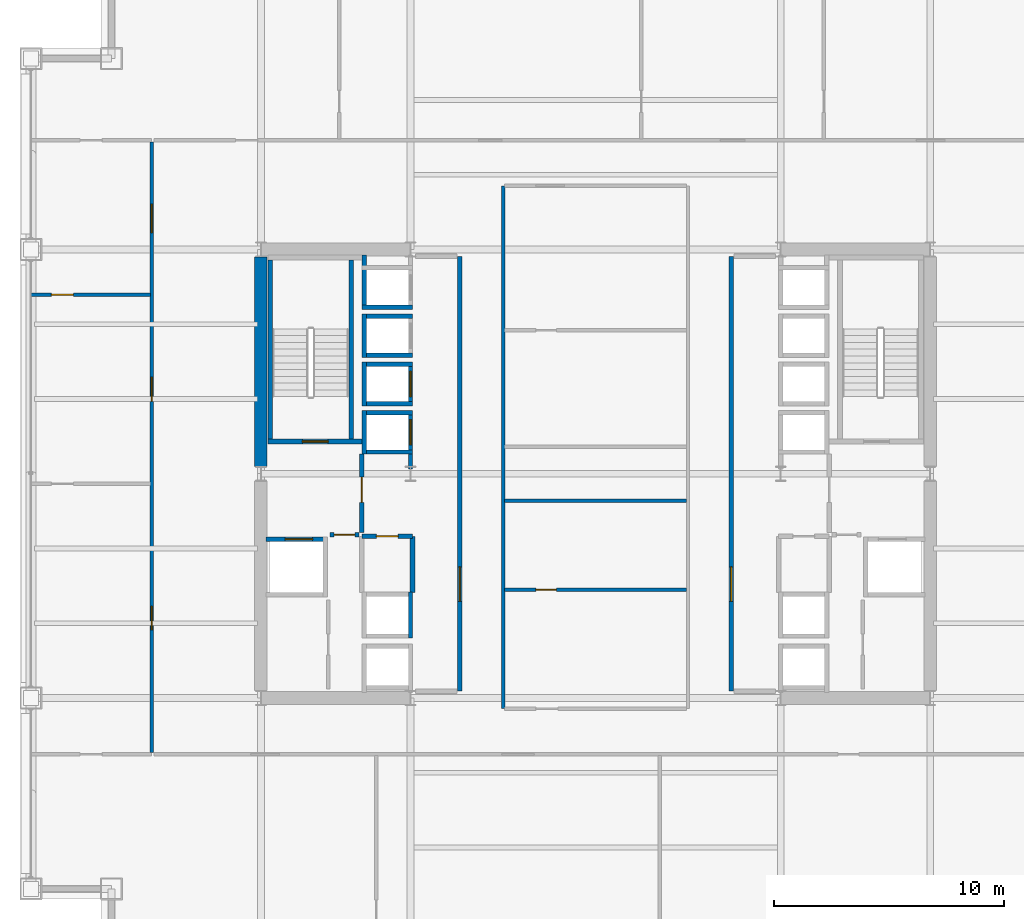
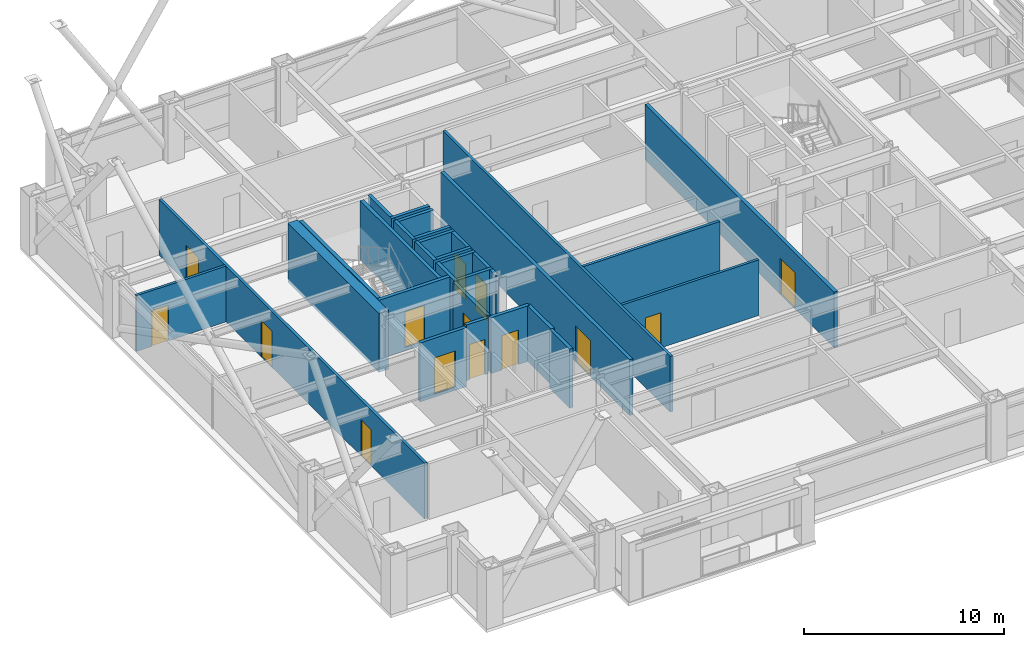
# One storey, part 28 of 34: 30 walls, 14 doors, 14 openings.
"""IFC4 building model written with IfcOpenShell, lengths in metres."""

from ifc_helpers import new_model, si_unit, direction, frame, frame_2d, origin, place, context, subcontext, project, spatial, rectangle, extrude, material, layer, layer_set, type_object, element, fill, save


model = new_model("IFC4")

# Units and contexts
model_context = context("Model", 3, precision=1e-05, world=origin(), true_north=direction((0.0, 1.0)))
body_context = subcontext(model_context, "Body", "Model", "MODEL_VIEW")
ifc_project = project(units=[si_unit("LENGTHUNIT", "METRE"), si_unit("AREAUNIT", "SQUARE_METRE"), si_unit("VOLUMEUNIT", "CUBIC_METRE"), si_unit("PLANEANGLEUNIT", "RADIAN"), si_unit("MASSUNIT", "GRAM", prefix="KILO")], contexts=[model_context])

# Site, building, storey
site_placement = place(None, origin())
site = spatial("IfcSite", under=ifc_project, at=site_placement, CompositionType="ELEMENT")
building_placement = place(site_placement, origin())
building = spatial("IfcBuilding", under=site, at=building_placement, Name="Brelmoor Portico Tower", CompositionType="ELEMENT")
storey_placement = place(building_placement, frame((0.0, 0.0, 45.60009765625)))
storey = spatial("IfcBuildingStorey", under=building, at=storey_placement, Name="L11", CompositionType="ELEMENT", Elevation=45.60009765625)

# Walls
ifc_material_1 = material(Name="Concrete C60", Category="concrete")
ifc_layer_1 = layer(ifc_material_1, 0.550048828125)
ifc_layer_set_1 = layer_set([ifc_layer_1], Name="Concrete C60")
wall_type_1 = type_object("IfcWallType", Name="WL-CORE-550", PredefinedType="SHEAR", material=ifc_layer_set_1)
wall_1_placement = place(storey_placement, frame((-14.550048828125, 0.324951171875, -0.2001953125), z_axis=(0.0, 0.0, 1.0), x_axis=(0.0, 1.0, 0.0)))
element("IfcWall", 1, at=wall_1_placement, inside=storey, type_object=wall_type_1, Name="L11 WC Outer North Shear Wall", PredefinedType="SHEAR", context=body_context, shape_type="SweptSolid", body=[
    extrude(rectangle(XDim=9.10009765625, YDim=0.550048828125, at=frame_2d((4.550048828125, 0.0))), origin(), (0.0, 0.0, 1.0), 3.60009765625),
])
ifc_material_2 = material(Name="Wet-Area Moisture-Resistant Partition", Category="gypsum")
ifc_layer_2 = layer(ifc_material_2, 0.14990234375)
ifc_layer_set_2 = layer_set([ifc_layer_2], Name="Wet-Area Moisture-Resistant Partition")
wall_type_2 = type_object("IfcWallType", Name="WL-PART-150", PredefinedType="PARTITIONING", material=ifc_layer_set_2)
wall_2_placement = place(storey_placement, frame((-4.02001953125, -10.199951171875, 0.0), z_axis=(0.0, 0.0, 1.0), x_axis=(0.0, 1.0, 0.0)))
element("IfcWall", 2, at=wall_2_placement, inside=storey, type_object=wall_type_2, Name="L11 Central Suite West Wall", PredefinedType="PARTITIONING", context=body_context, shape_type="SweptSolid", body=[
    extrude(rectangle(XDim=22.699951171875, YDim=0.14990234375, at=frame_2d((11.35009765625, 0.0))), origin(), (0.0, 0.0, 1.0), 3.39990234375),
])

# Wall, opening, door
wall_3_placement = place(storey_placement, frame((-3.949951171875, -5.050048828125, 0.0), z_axis=(0.0, 0.0, 1.0), x_axis=(1.0, 0.0, 0.0)))
wall_3 = element("IfcWall", 3, at=wall_3_placement, inside=storey, type_object=wall_type_2, Name="L11 Central Print Divider", PredefinedType="PARTITIONING", context=body_context, shape_type="SweptSolid", body=[
    extrude(rectangle(XDim=7.89990234375, YDim=0.14990234375, at=frame_2d((3.949951171875, 0.0))), origin(), (0.0, 0.0, 1.0), 3.39990234375),
])
opening_1_placement = place(wall_3_placement, frame((1.35009765625, 0.0, 0.0)))
opening_1 = element("IfcOpeningElement", 4, at=opening_1_placement, cuts=wall_3, Name="Opening D-IN1", PredefinedType="OPENING", context=body_context, shape_type="SweptSolid", body=[
    extrude(rectangle(XDim=0.89990234375, YDim=2.14990234375, at=frame_2d((0.449951171875, 1.074951171875))), frame((0.0, 0.0849609375, 0.0), z_axis=(0.0, -1.0, 0.0), x_axis=(1.0, 0.0, 0.0)), (0.0, 0.0, 1.0), 0.169921875),
])
ifc_material_3 = material(Name="Lacquered Timber Suite Door", Category="wood")
door_type_1 = type_object("IfcDoorType", Name="DR-INT-900", OperationType="NOTDEFINED", PredefinedType="DOOR", material=ifc_material_3)
door_1_placement = place(opening_1_placement, origin())
door_1 = element("IfcDoor", 5, at=door_1_placement, inside=storey, type_object=door_type_1, Name="D-0481 L11 Central Print Studio Door", OperationType="SINGLE_SWING_LEFT", OverallHeight=2.14990234375, OverallWidth=0.89990234375, PredefinedType="DOOR", context=body_context, shape_type="SweptSolid", body=[
    extrude(rectangle(XDim=0.89990234375, YDim=2.14990234375, at=frame_2d((0.449951171875, 1.074951171875))), frame((0.0, 0.02490234375, 0.0), z_axis=(0.0, -1.0, 0.0), x_axis=(1.0, 0.0, 0.0)), (0.0, 0.0, 1.0), 0.050048828125),
])
fill(opening_1, door_1)

wall_4_placement = place(storey_placement, frame((-24.56005859375, 7.784912109375, 0.0), z_axis=(0.0, 0.0, 1.0), x_axis=(1.0, 0.0, 0.0)))
wall_4 = element("IfcWall", 6, at=wall_4_placement, inside=storey, type_object=wall_type_2, Name="L11 W Wing Partition 2", PredefinedType="PARTITIONING", context=body_context, shape_type="SweptSolid", body=[
    extrude(rectangle(XDim=5.199951171875, YDim=0.14990234375, at=frame_2d((2.60009765625, 0.0))), origin(), (0.0, 0.0, 1.0), 3.39990234375),
])
opening_2_placement = place(wall_4_placement, frame((0.89990234375, 0.0, 0.0)))
opening_2 = element("IfcOpeningElement", 7, at=opening_2_placement, cuts=wall_4, Name="Opening D-IN2", PredefinedType="OPENING", context=body_context, shape_type="SweptSolid", body=[
    extrude(rectangle(XDim=0.9599609375, YDim=2.179931640625, at=frame_2d((0.47998046875, 1.08984375))), frame((0.0, 0.0849609375, 0.0), z_axis=(0.0, -1.0, 0.0), x_axis=(1.0, 0.0, 0.0)), (0.0, 0.0, 1.0), 0.169921875),
])
door_type_2 = type_object("IfcDoorType", Name="DR-INT-950", OperationType="NOTDEFINED", PredefinedType="DOOR", material=ifc_material_3)
door_2_placement = place(opening_2_placement, origin())
door_2 = element("IfcDoor", 8, at=door_2_placement, inside=storey, type_object=door_type_2, Name="D-0520 L11 W Wing Suite Connecting Door 2", OperationType="SINGLE_SWING_RIGHT", OverallHeight=2.179931640625, OverallWidth=0.9599609375, PredefinedType="DOOR", context=body_context, shape_type="SweptSolid", body=[
    extrude(rectangle(XDim=0.9599609375, YDim=2.179931640625, at=frame_2d((0.47998046875, 1.08984375))), frame((0.0, 0.02490234375, 0.0), z_axis=(0.0, -1.0, 0.0), x_axis=(1.0, 0.0, 0.0)), (0.0, 0.0, 1.0), 0.050048828125),
])
fill(opening_2, door_2)

# Wall
ifc_material_4 = material(Name="Twin-Frame Acoustic Partition", Category="gypsum")
ifc_layer_3 = layer(ifc_material_4, 0.159912109375)
ifc_layer_set_3 = layer_set([ifc_layer_3], Name="Twin-Frame Acoustic Partition")
wall_type_3 = type_object("IfcWallType", Name="WL-PART-160", PredefinedType="PARTITIONING", material=ifc_layer_set_3)
wall_5_placement = place(storey_placement, frame((-3.949951171875, -1.179931640625, 0.0), z_axis=(0.0, 0.0, 1.0), x_axis=(1.0, 0.0, 0.0)))
element("IfcWall", 9, at=wall_5_placement, inside=storey, type_object=wall_type_3, Name="L11 Central Pantry North Wall", PredefinedType="PARTITIONING", context=body_context, shape_type="SweptSolid", body=[
    extrude(rectangle(XDim=7.89990234375, YDim=0.159912109375, at=frame_2d((3.949951171875, 0.0))), origin(), (0.0, 0.0, 1.0), 3.39990234375),
])

# Wall, openings, doors
wall_6_placement = place(storey_placement, frame((-19.300048828125, -12.1201171875, 0.0), z_axis=(0.0, 0.0, 1.0), x_axis=(0.0, 1.0, 0.0)))
wall_6 = element("IfcWall", 10, at=wall_6_placement, inside=storey, type_object=wall_type_3, Name="L11 W Wing Corridor Wall", PredefinedType="PARTITIONING", context=body_context, shape_type="SweptSolid", body=[
    extrude(rectangle(XDim=26.5400390625, YDim=0.159912109375, at=frame_2d((13.27001953125, 0.0))), origin(), (0.0, 0.0, 1.0), 3.39990234375),
])
opening_3_placement = place(wall_6_placement, frame((5.328857421875, 0.0, 0.0)))
opening_3 = element("IfcOpeningElement", 11, at=opening_3_placement, cuts=wall_6, Name="Opening D-OF1", PredefinedType="OPENING", context=body_context, shape_type="SweptSolid", body=[
    extrude(rectangle(XDim=1.02001953125, YDim=2.199951171875, at=frame_2d((0.510009765625, 1.10009765625))), frame((0.0, 0.08984375, 0.0), z_axis=(0.0, -1.0, 0.0), x_axis=(1.0, 0.0, 0.0)), (0.0, 0.0, 1.0), 0.179931640625),
])
opening_4_placement = place(wall_6_placement, frame((15.26123046875, 0.0, 0.0)))
opening_4 = element("IfcOpeningElement", 12, at=opening_4_placement, cuts=wall_6, Name="Opening D-OF2", PredefinedType="OPENING", context=body_context, shape_type="SweptSolid", body=[
    extrude(rectangle(XDim=1.06005859375, YDim=2.199951171875, at=frame_2d((0.530029296875, 1.10009765625))), frame((0.0, 0.08984375, 0.0), z_axis=(0.0, -1.0, 0.0), x_axis=(1.0, 0.0, 0.0)), (0.0, 0.0, 1.0), 0.179931640625),
])
opening_5_placement = place(wall_6_placement, frame((22.6025390625, 0.0, 0.0)))
opening_5 = element("IfcOpeningElement", 13, at=opening_5_placement, cuts=wall_6, Name="Opening D-SU1", PredefinedType="OPENING", context=body_context, shape_type="SweptSolid", body=[
    extrude(rectangle(XDim=1.239990234375, YDim=2.239990234375, at=frame_2d((0.6201171875, 1.1201171875))), frame((0.0, 0.08984375, 0.0), z_axis=(0.0, -1.0, 0.0), x_axis=(1.0, 0.0, 0.0)), (0.0, 0.0, 1.0), 0.179931640625),
])
ifc_material_5 = material(Name="Hardwood Acoustic Veneer Door", Category="wood")
door_type_3 = type_object("IfcDoorType", Name="DR-OFFICE-1000", OperationType="NOTDEFINED", PredefinedType="DOOR", material=ifc_material_5)
door_3_placement = place(opening_3_placement, origin())
door_3 = element("IfcDoor", 14, at=door_3_placement, inside=storey, type_object=door_type_3, Name="D-0516 L11 W Cellular Office 1 Door", OperationType="SINGLE_SWING_LEFT", OverallHeight=2.199951171875, OverallWidth=1.02001953125, PredefinedType="DOOR", context=body_context, shape_type="SweptSolid", body=[
    extrude(rectangle(XDim=1.02001953125, YDim=2.199951171875, at=frame_2d((0.510009765625, 1.10009765625))), frame((0.0, 0.02490234375, 0.0), z_axis=(0.0, -1.0, 0.0), x_axis=(1.0, 0.0, 0.0)), (0.0, 0.0, 1.0), 0.050048828125),
])
fill(opening_3, door_3)
door_type_4 = type_object("IfcDoorType", Name="DR-OFFICE-1050", OperationType="NOTDEFINED", PredefinedType="DOOR", material=ifc_material_5)
door_4_placement = place(opening_4_placement, origin())
door_4 = element("IfcDoor", 15, at=door_4_placement, inside=storey, type_object=door_type_4, Name="D-0517 L11 W Technical Storage Room 2 Door", OperationType="SINGLE_SWING_RIGHT", OverallHeight=2.199951171875, OverallWidth=1.06005859375, PredefinedType="DOOR", context=body_context, shape_type="SweptSolid", body=[
    extrude(rectangle(XDim=1.06005859375, YDim=2.199951171875, at=frame_2d((0.530029296875, 1.10009765625))), frame((0.0, 0.02490234375, 0.0), z_axis=(0.0, -1.0, 0.0), x_axis=(1.0, 0.0, 0.0)), (0.0, 0.0, 1.0), 0.050048828125),
])
fill(opening_4, door_4)
ifc_material_6 = material(Name="Glazed Timber Executive Suite Door", Category="wood")
door_type_5 = type_object("IfcDoorType", Name="DR-SUITE-1200", OperationType="NOTDEFINED", PredefinedType="DOOR", material=ifc_material_6)
door_5_placement = place(opening_5_placement, origin())
door_5 = element("IfcDoor", 16, at=door_5_placement, inside=storey, type_object=door_type_5, Name="D-0518 L11 W Project Mail and Print Room 3 Door", OperationType="SINGLE_SWING_LEFT", OverallHeight=2.239990234375, OverallWidth=1.239990234375, PredefinedType="DOOR", context=body_context, shape_type="SweptSolid", body=[
    extrude(rectangle(XDim=1.239990234375, YDim=2.239990234375, at=frame_2d((0.6201171875, 1.1201171875))), frame((0.0, 0.02490234375, 0.0), z_axis=(0.0, -1.0, 0.0), x_axis=(1.0, 0.0, 0.0)), (0.0, 0.0, 1.0), 0.050048828125),
])
fill(opening_5, door_5)

# Wall, opening, door
ifc_material_7 = material(Name="Double-Stud Gypsum Fire Partition", Category="gypsum")
ifc_layer_4 = layer(ifc_material_7, 0.199951171875)
ifc_layer_set_4 = layer_set([ifc_layer_4], Name="Double-Stud Gypsum Fire Partition")
wall_type_4 = type_object("IfcWallType", Name="WL-PART-200", PredefinedType="PARTITIONING", material=ifc_layer_set_4)
wall_7_placement = place(storey_placement, frame((-5.89990234375, -9.449951171875, 0.0), z_axis=(0.0, 0.0, 1.0), x_axis=(0.0, 1.0, 0.0)))
wall_7 = element("IfcWall", 17, at=wall_7_placement, inside=storey, type_object=wall_type_4, Name="L11 W Core Lobby Compartment Wall", PredefinedType="PARTITIONING", context=body_context, shape_type="SweptSolid", body=[
    extrude(rectangle(XDim=18.89990234375, YDim=0.199951171875, at=frame_2d((9.449951171875, 0.0))), origin(), (0.0, 0.0, 1.0), 3.39990234375),
])
opening_6_placement = place(wall_7_placement, frame((3.89990234375, 0.0, 0.0)))
opening_6 = element("IfcOpeningElement", 18, at=opening_6_placement, cuts=wall_7, Name="Opening D-LB1", PredefinedType="OPENING", context=body_context, shape_type="SweptSolid", body=[
    extrude(rectangle(XDim=1.5, YDim=2.199951171875, at=frame_2d((0.75, 1.10009765625))), frame((0.0, 0.10986328125, 0.0), z_axis=(0.0, -1.0, 0.0), x_axis=(1.0, 0.0, 0.0)), (0.0, 0.0, 1.0), 0.219970703125),
])
ifc_material_8 = material(Name="Double-Leaf Glazed Steel Fire Door", Category="steel")
door_type_6 = type_object("IfcDoorType", Name="DR-LOBBY-1500", OperationType="NOTDEFINED", PredefinedType="DOOR", material=ifc_material_8)
door_6_placement = place(opening_6_placement, origin())
door_6 = element("IfcDoor", 19, at=door_6_placement, inside=storey, type_object=door_type_6, Name="D-0491 L11 W Lift Lobby Main Door", OperationType="DOUBLE_DOOR_SINGLE_SWING", OverallHeight=2.199951171875, OverallWidth=1.5, PredefinedType="DOOR", context=body_context, shape_type="SweptSolid", body=[
    extrude(rectangle(XDim=1.5, YDim=2.199951171875, at=frame_2d((0.75, 1.10009765625))), frame((0.0, 0.02490234375, 0.0), z_axis=(0.0, -1.0, 0.0), x_axis=(1.0, 0.0, 0.0)), (0.0, 0.0, 1.0), 0.050048828125),
])
fill(opening_6, door_6)

wall_8_placement = place(storey_placement, frame((-10.159912109375, -2.550048828125, 0.0), z_axis=(0.0, 0.0, 1.0), x_axis=(0.0, 1.0, 0.0)))
wall_8 = element("IfcWall", 20, at=wall_8_placement, inside=storey, type_object=wall_type_4, Name="L11 W Firefighting Lobby Wall", PredefinedType="PARTITIONING", context=body_context, shape_type="SweptSolid", body=[
    extrude(rectangle(XDim=3.400146484375, YDim=0.199951171875, at=frame_2d((1.7001953125, 0.0))), origin(), (0.0, 0.0, 1.0), 3.39990234375),
])
opening_7_placement = place(wall_8_placement, frame((1.300048828125, 0.0, 0.0)))
opening_7 = element("IfcOpeningElement", 21, at=opening_7_placement, cuts=wall_8, Name="Opening D-FR1", PredefinedType="OPENING", context=body_context, shape_type="SweptSolid", body=[
    extrude(rectangle(XDim=1.10009765625, YDim=2.14990234375, at=frame_2d((0.550048828125, 1.074951171875))), frame((0.0, 0.10986328125, 0.0), z_axis=(0.0, -1.0, 0.0), x_axis=(1.0, 0.0, 0.0)), (0.0, 0.0, 1.0), 0.219970703125),
])
ifc_material_9 = material(Name="Painted Galvanised Steel Fire Door", Category="steel")
door_type_7 = type_object("IfcDoorType", Name="DR-FIRE-1100", OperationType="NOTDEFINED", PredefinedType="DOOR", material=ifc_material_9)
door_7_placement = place(opening_7_placement, origin())
door_7 = element("IfcDoor", 22, at=door_7_placement, inside=storey, type_object=door_type_7, Name="D-0489 L11 W Firefighting Lobby Door", OperationType="SINGLE_SWING_RIGHT", OverallHeight=2.14990234375, OverallWidth=1.10009765625, PredefinedType="DOOR", context=body_context, shape_type="SweptSolid", body=[
    extrude(rectangle(XDim=1.10009765625, YDim=2.14990234375, at=frame_2d((0.550048828125, 1.074951171875))), frame((0.0, 0.02490234375, 0.0), z_axis=(0.0, -1.0, 0.0), x_axis=(1.0, 0.0, 0.0)), (0.0, 0.0, 1.0), 0.050048828125),
])
fill(opening_7, door_7)

wall_9_placement = place(storey_placement, frame((-10.280029296875, -2.64990234375, 0.0), z_axis=(0.0, 0.0, 1.0), x_axis=(-1.0, 0.0, 0.0)))
wall_9 = element("IfcWall", 23, at=wall_9_placement, inside=storey, type_object=wall_type_4, Name="L11 W Firefighting Lobby South Wall", PredefinedType="PARTITIONING", context=body_context, shape_type="SweptSolid", body=[
    extrude(rectangle(XDim=1.27001953125, YDim=0.199951171875, at=frame_2d((0.635009765625, 0.0))), origin(), (0.0, 0.0, 1.0), 3.39990234375),
])
opening_8_placement = place(wall_9_placement, frame((0.18505859375, 0.0, 0.0)))
opening_8 = element("IfcOpeningElement", 24, at=opening_8_placement, cuts=wall_9, Name="Opening D-IN1", PredefinedType="OPENING", context=body_context, shape_type="SweptSolid", body=[
    extrude(rectangle(XDim=0.89990234375, YDim=2.14990234375, at=frame_2d((0.449951171875, 1.074951171875))), frame((0.0, 0.10986328125, 0.0), z_axis=(0.0, -1.0, 0.0), x_axis=(1.0, 0.0, 0.0)), (0.0, 0.0, 1.0), 0.219970703125),
])
door_8_placement = place(opening_8_placement, origin())
door_8 = element("IfcDoor", 25, at=door_8_placement, inside=storey, type_object=door_type_1, Name="D-0484 L11 W Core Service Vestibule Door", OperationType="SINGLE_SWING_LEFT", OverallHeight=2.14990234375, OverallWidth=0.89990234375, PredefinedType="DOOR", context=body_context, shape_type="SweptSolid", body=[
    extrude(rectangle(XDim=0.89990234375, YDim=2.14990234375, at=frame_2d((0.449951171875, 1.074951171875))), frame((0.0, 0.02490234375, 0.0), z_axis=(0.0, -1.0, 0.0), x_axis=(1.0, 0.0, 0.0)), (0.0, 0.0, 1.0), 0.050048828125),
])
fill(opening_8, door_8)

wall_10_placement = place(storey_placement, frame((-7.9599609375, -2.719970703125, 0.0), z_axis=(0.0, 0.0, 1.0), x_axis=(-1.0, 0.0, 0.0)))
wall_10 = element("IfcWall", 26, at=wall_10_placement, inside=storey, type_object=wall_type_4, Name="L11 W Electrical Switchgear Closet Wall", PredefinedType="PARTITIONING", context=body_context, shape_type="SweptSolid", body=[
    extrude(rectangle(XDim=2.199951171875, YDim=0.199951171875, at=frame_2d((1.10009765625, 0.0))), origin(), (0.0, 0.0, 1.0), 3.39990234375),
])
opening_9_placement = place(wall_10_placement, frame((0.6201171875, 0.0, 0.0)))
opening_9 = element("IfcOpeningElement", 27, at=opening_9_placement, cuts=wall_10, Name="Opening D-FR4", PredefinedType="OPENING", context=body_context, shape_type="SweptSolid", body=[
    extrude(rectangle(XDim=0.949951171875, YDim=2.10009765625, at=frame_2d((0.47509765625, 1.050048828125))), frame((0.0, 0.10986328125, 0.0), z_axis=(0.0, -1.0, 0.0), x_axis=(1.0, 0.0, 0.0)), (0.0, 0.0, 1.0), 0.219970703125),
])
ifc_material_10 = material(Name="Painted Galvanised Steel Riser Door", Category="steel")
door_type_8 = type_object("IfcDoorType", Name="DR-FIRE-950", OperationType="NOTDEFINED", PredefinedType="DOOR", material=ifc_material_10)
door_9_placement = place(opening_9_placement, origin())
door_9 = element("IfcDoor", 28, at=door_9_placement, inside=storey, type_object=door_type_8, Name="D-0487 L11 W Electrical Switchgear Closet Door", OperationType="SINGLE_SWING_RIGHT", OverallHeight=2.10009765625, OverallWidth=0.949951171875, PredefinedType="DOOR", context=body_context, shape_type="SweptSolid", body=[
    extrude(rectangle(XDim=0.949951171875, YDim=2.10009765625, at=frame_2d((0.47509765625, 1.050048828125))), frame((0.0, 0.02490234375, 0.0), z_axis=(0.0, -1.0, 0.0), x_axis=(1.0, 0.0, 0.0)), (0.0, 0.0, 1.0), 0.050048828125),
])
fill(opening_9, door_9)

# Wall
wall_11_placement = place(storey_placement, frame((-7.9599609375, -5.159912109375, 0.0), z_axis=(0.0, 0.0, 1.0), x_axis=(0.0, 1.0, 0.0)))
element("IfcWall", 29, at=wall_11_placement, inside=storey, type_object=wall_type_4, Name="L11 W Electrical Switchgear Closet Inner Wall", PredefinedType="PARTITIONING", context=body_context, shape_type="SweptSolid", body=[
    extrude(rectangle(XDim=2.43994140625, YDim=0.199951171875, at=frame_2d((1.219970703125, 0.0))), origin(), (0.0, 0.0, 1.0), 3.39990234375),
])

# Wall, opening, door
wall_12_placement = place(storey_placement, frame((5.89990234375, -9.449951171875, 0.0), z_axis=(0.0, 0.0, 1.0), x_axis=(0.0, 1.0, 0.0)))
wall_12 = element("IfcWall", 30, at=wall_12_placement, inside=storey, type_object=wall_type_4, Name="L11 E Core Lobby Compartment Wall", PredefinedType="PARTITIONING", context=body_context, shape_type="SweptSolid", body=[
    extrude(rectangle(XDim=18.89990234375, YDim=0.199951171875, at=frame_2d((9.449951171875, 0.0))), origin(), (0.0, 0.0, 1.0), 3.39990234375),
])
opening_10_placement = place(wall_12_placement, frame((3.89990234375, 0.0, 0.0)))
opening_10 = element("IfcOpeningElement", 31, at=opening_10_placement, cuts=wall_12, Name="Opening D-LB1", PredefinedType="OPENING", context=body_context, shape_type="SweptSolid", body=[
    extrude(rectangle(XDim=1.5, YDim=2.199951171875, at=frame_2d((0.75, 1.10009765625))), frame((0.0, 0.10986328125, 0.0), z_axis=(0.0, -1.0, 0.0), x_axis=(1.0, 0.0, 0.0)), (0.0, 0.0, 1.0), 0.219970703125),
])
door_10_placement = place(opening_10_placement, origin())
door_10 = element("IfcDoor", 32, at=door_10_placement, inside=storey, type_object=door_type_6, Name="D-0490 L11 E Lift Lobby Main Door", OperationType="DOUBLE_DOOR_SINGLE_SWING", OverallHeight=2.199951171875, OverallWidth=1.5, PredefinedType="DOOR", context=body_context, shape_type="SweptSolid", body=[
    extrude(rectangle(XDim=1.5, YDim=2.199951171875, at=frame_2d((0.75, 1.10009765625))), frame((0.0, 0.02490234375, 0.0), z_axis=(0.0, -1.0, 0.0), x_axis=(1.0, 0.0, 0.0)), (0.0, 0.0, 1.0), 0.050048828125),
])
fill(opening_10, door_10)

ifc_material_11 = material(Name="Precast Concrete C40", Category="concrete")
ifc_layer_5 = layer(ifc_material_11, 0.18994140625)
ifc_layer_set_5 = layer_set([ifc_layer_5], Name="Precast Concrete C40")
wall_type_5 = type_object("IfcWallType", Name="WL-SHAFT-180", PredefinedType="SOLIDWALL", material=ifc_layer_set_5)
wall_13_placement = place(storey_placement, frame((-8.044921875, 0.2099609375, -0.2001953125), z_axis=(0.0, 0.0, 1.0), x_axis=(0.0, 1.0, 0.0)))
wall_13 = element("IfcWall", 33, at=wall_13_placement, inside=storey, type_object=wall_type_5, Name="L11 Lift PL1 Hoistway Front Wall", PredefinedType="SOLIDWALL", context=body_context, shape_type="SweptSolid", body=[
    extrude(rectangle(XDim=2.5400390625, YDim=0.18994140625, at=frame_2d((1.27001953125, 0.0))), origin(), (0.0, 0.0, 1.0), 3.60009765625),
])
opening_11_placement = place(wall_13_placement, frame((1.0400390625, 0.0, 0.199951171875)))
opening_11 = element("IfcOpeningElement", 34, at=opening_11_placement, cuts=wall_13, Name="Opening LD-01", PredefinedType="OPENING", context=body_context, shape_type="SweptSolid", body=[
    extrude(rectangle(XDim=1.10009765625, YDim=2.199951171875, at=frame_2d((0.550048828125, 1.10009765625))), frame((0.0, 0.10498046875, 0.0), z_axis=(0.0, -1.0, 0.0), x_axis=(1.0, 0.0, 0.0)), (0.0, 0.0, 1.0), 0.2099609375),
])
ifc_material_12 = material(Name="Brushed Stainless Steel Sliding Lift Door", Category="steel")
door_type_9 = type_object("IfcDoorType", Name="DR-LIFT-1100", OperationType="NOTDEFINED", PredefinedType="DOOR", material=ifc_material_12)
door_11_placement = place(opening_11_placement, origin())
door_11 = element("IfcDoor", 35, at=door_11_placement, inside=storey, type_object=door_type_9, Name="D-0523 L11 Lift PL1 Sliding Landing Door", OperationType="SLIDING_TO_LEFT", OverallHeight=2.199951171875, OverallWidth=1.10009765625, PredefinedType="DOOR", context=body_context, shape_type="SweptSolid", body=[
    extrude(rectangle(XDim=1.10009765625, YDim=2.199951171875, at=frame_2d((0.550048828125, 1.10009765625))), frame((0.0, 0.02490234375, 0.0), z_axis=(0.0, -1.0, 0.0), x_axis=(1.0, 0.0, 0.0)), (0.0, 0.0, 1.0), 0.050048828125),
])
fill(opening_11, door_11)

# Walls
wall_14_placement = place(storey_placement, frame((-10.054931640625, 0.85009765625, -0.2001953125), z_axis=(0.0, 0.0, 1.0), x_axis=(0.0, 1.0, 0.0)))
element("IfcWall", 36, at=wall_14_placement, inside=storey, type_object=wall_type_5, Name="L11 Lift PL1 Hoistway Back Wall", PredefinedType="SOLIDWALL", context=body_context, shape_type="SweptSolid", body=[
    extrude(rectangle(XDim=1.89990234375, YDim=0.18994140625, at=frame_2d((0.949951171875, 0.0))), origin(), (0.0, 0.0, 1.0), 3.60009765625),
])
for number, where, z_axis, x_axis, name in (
    (37, (-10.14990234375, 2.655029296875, -0.2001953125), (0.0, 0.0, 1.0), (1.0, 0.0, 0.0), "L11 Lift PL1 Hoistway North Wall"),
    (38, (-10.14990234375, 0.945068359375, -0.2001953125), (0.0, 0.0, 1.0), (1.0, 0.0, 0.0), "L11 Lift PL1 Hoistway South Wall"),
):
    element("IfcWall", number, at=place(storey_placement, frame(where, z_axis=z_axis, x_axis=x_axis)), inside=storey, type_object=wall_type_5, Name=name, PredefinedType="SOLIDWALL", context=body_context, shape_type="SweptSolid", body=[
        extrude(rectangle(XDim=2.199951171875, YDim=0.18994140625, at=frame_2d((1.10009765625, 0.0))), origin(), (0.0, 0.0, 1.0), 3.60009765625),
    ])

# Wall, opening, door
wall_15_placement = place(storey_placement, frame((-8.044921875, 2.949951171875, -0.2001953125), z_axis=(0.0, 0.0, 1.0), x_axis=(0.0, 1.0, 0.0)))
wall_15 = element("IfcWall", 39, at=wall_15_placement, inside=storey, type_object=wall_type_5, Name="L11 Lift PL2 Hoistway Front Wall", PredefinedType="SOLIDWALL", context=body_context, shape_type="SweptSolid", body=[
    extrude(rectangle(XDim=1.900146484375, YDim=0.18994140625, at=frame_2d((0.9501953125, 0.0))), origin(), (0.0, 0.0, 1.0), 3.60009765625),
])
opening_12_placement = place(wall_15_placement, frame((0.39990234375, 0.0, 0.199951171875)))
opening_12 = element("IfcOpeningElement", 40, at=opening_12_placement, cuts=wall_15, Name="Opening LD-01", PredefinedType="OPENING", context=body_context, shape_type="SweptSolid", body=[
    extrude(rectangle(XDim=1.10009765625, YDim=2.199951171875, at=frame_2d((0.550048828125, 1.10009765625))), frame((0.0, 0.10498046875, 0.0), z_axis=(0.0, -1.0, 0.0), x_axis=(1.0, 0.0, 0.0)), (0.0, 0.0, 1.0), 0.2099609375),
])
door_12_placement = place(opening_12_placement, origin())
door_12 = element("IfcDoor", 41, at=door_12_placement, inside=storey, type_object=door_type_9, Name="D-0524 L11 Lift PL2 Sliding Landing Door", OperationType="SLIDING_TO_LEFT", OverallHeight=2.199951171875, OverallWidth=1.10009765625, PredefinedType="DOOR", context=body_context, shape_type="SweptSolid", body=[
    extrude(rectangle(XDim=1.10009765625, YDim=2.199951171875, at=frame_2d((0.550048828125, 1.10009765625))), frame((0.0, 0.02490234375, 0.0), z_axis=(0.0, -1.0, 0.0), x_axis=(1.0, 0.0, 0.0)), (0.0, 0.0, 1.0), 0.050048828125),
])
fill(opening_12, door_12)

# Walls
wall_16_placement = place(storey_placement, frame((-10.054931640625, 2.949951171875, -0.2001953125), z_axis=(0.0, 0.0, 1.0), x_axis=(0.0, 1.0, 0.0)))
element("IfcWall", 42, at=wall_16_placement, inside=storey, type_object=wall_type_5, Name="L11 Lift PL2 Hoistway Back Wall", PredefinedType="SOLIDWALL", context=body_context, shape_type="SweptSolid", body=[
    extrude(rectangle(XDim=1.900146484375, YDim=0.18994140625, at=frame_2d((0.9501953125, 0.0))), origin(), (0.0, 0.0, 1.0), 3.60009765625),
])
for number, where, z_axis, x_axis, name in (
    (43, (-10.14990234375, 4.7548828125, -0.2001953125), (0.0, 0.0, 1.0), (1.0, 0.0, 0.0), "L11 Lift PL2 Hoistway North Wall"),
    (44, (-10.14990234375, 3.044921875, -0.2001953125), (0.0, 0.0, 1.0), (1.0, 0.0, 0.0), "L11 Lift PL2 Hoistway South Wall"),
):
    element("IfcWall", number, at=place(storey_placement, frame(where, z_axis=z_axis, x_axis=x_axis)), inside=storey, type_object=wall_type_5, Name=name, PredefinedType="SOLIDWALL", context=body_context, shape_type="SweptSolid", body=[
        extrude(rectangle(XDim=2.199951171875, YDim=0.18994140625, at=frame_2d((1.10009765625, 0.0))), origin(), (0.0, 0.0, 1.0), 3.60009765625),
    ])
wall_17_placement = place(storey_placement, frame((-10.054931640625, 5.050048828125, -0.2001953125), z_axis=(0.0, 0.0, 1.0), x_axis=(0.0, 1.0, 0.0)))
element("IfcWall", 45, at=wall_17_placement, inside=storey, type_object=wall_type_5, Name="L11 Lift PL3 Hoistway Back Wall", PredefinedType="SOLIDWALL", context=body_context, shape_type="SweptSolid", body=[
    extrude(rectangle(XDim=1.89990234375, YDim=0.18994140625, at=frame_2d((0.949951171875, 0.0))), origin(), (0.0, 0.0, 1.0), 3.60009765625),
])
for number, where, z_axis, x_axis, name in (
    (46, (-10.14990234375, 6.85498046875, -0.2001953125), (0.0, 0.0, 1.0), (1.0, 0.0, 0.0), "L11 Lift PL3 Hoistway North Wall"),
    (47, (-10.14990234375, 5.14501953125, -0.2001953125), (0.0, 0.0, 1.0), (1.0, 0.0, 0.0), "L11 Lift PL3 Hoistway South Wall"),
):
    element("IfcWall", number, at=place(storey_placement, frame(where, z_axis=z_axis, x_axis=x_axis)), inside=storey, type_object=wall_type_5, Name=name, PredefinedType="SOLIDWALL", context=body_context, shape_type="SweptSolid", body=[
        extrude(rectangle(XDim=2.199951171875, YDim=0.18994140625, at=frame_2d((1.10009765625, 0.0))), origin(), (0.0, 0.0, 1.0), 3.60009765625),
    ])
wall_18_placement = place(storey_placement, frame((-10.054931640625, 7.14990234375, -0.2001953125), z_axis=(0.0, 0.0, 1.0), x_axis=(0.0, 1.0, 0.0)))
element("IfcWall", 48, at=wall_18_placement, inside=storey, type_object=wall_type_5, Name="L11 Lift PL4 Hoistway Back Wall", PredefinedType="SOLIDWALL", context=body_context, shape_type="SweptSolid", body=[
    extrude(rectangle(XDim=2.3701171875, YDim=0.18994140625, at=frame_2d((1.18505859375, 0.0))), origin(), (0.0, 0.0, 1.0), 3.60009765625),
])
wall_19_placement = place(storey_placement, frame((-10.14990234375, 7.2451171875, -0.2001953125), z_axis=(0.0, 0.0, 1.0), x_axis=(1.0, 0.0, 0.0)))
element("IfcWall", 49, at=wall_19_placement, inside=storey, type_object=wall_type_5, Name="L11 Lift PL4 Hoistway South Wall", PredefinedType="SOLIDWALL", context=body_context, shape_type="SweptSolid", body=[
    extrude(rectangle(XDim=2.199951171875, YDim=0.18994140625, at=frame_2d((1.10009765625, 0.0))), origin(), (0.0, 0.0, 1.0), 3.60009765625),
])
wall_20_placement = place(storey_placement, frame((-8.044921875, -7.14990234375, -0.2001953125), z_axis=(0.0, 0.0, 1.0), x_axis=(0.0, 1.0, 0.0)))
element("IfcWall", 50, at=wall_20_placement, inside=storey, type_object=wall_type_5, Name="L11 Lift PH2 Hoistway Front Wall", PredefinedType="SOLIDWALL", context=body_context, shape_type="SweptSolid", body=[
    extrude(rectangle(XDim=2.0, YDim=0.18994140625, at=frame_2d((1.0, 0.0))), origin(), (0.0, 0.0, 1.0), 3.60009765625),
])

# Wall, opening, door
wall_21_placement = place(storey_placement, frame((-14.330078125, -2.844970703125, -0.2001953125), z_axis=(0.0, 0.0, 1.0), x_axis=(1.0, 0.0, 0.0)))
wall_21 = element("IfcWall", 51, at=wall_21_placement, inside=storey, type_object=wall_type_5, Name="L11 Lift FF1 Hoistway Front Wall", PredefinedType="SOLIDWALL", context=body_context, shape_type="SweptSolid", body=[
    extrude(rectangle(XDim=2.68017578125, YDim=0.18994140625, at=frame_2d((1.340087890625, 0.0))), origin(), (0.0, 0.0, 1.0), 3.60009765625),
])
opening_13_placement = place(wall_21_placement, frame((0.830078125, 0.0, 0.199951171875)))
opening_13 = element("IfcOpeningElement", 52, at=opening_13_placement, cuts=wall_21, Name="Opening LD-02", PredefinedType="OPENING", context=body_context, shape_type="SweptSolid", body=[
    extrude(rectangle(XDim=1.199951171875, YDim=2.199951171875, at=frame_2d((0.60009765625, 1.10009765625))), frame((0.0, 0.10498046875, 0.0), z_axis=(0.0, -1.0, 0.0), x_axis=(1.0, 0.0, 0.0)), (0.0, 0.0, 1.0), 0.2099609375),
])
ifc_material_13 = material(Name="Brushed Stainless Steel Firefighting Lift Door", Category="steel")
door_type_10 = type_object("IfcDoorType", Name="DR-LIFT-1200", OperationType="NOTDEFINED", PredefinedType="DOOR", material=ifc_material_13)
door_13_placement = place(opening_13_placement, origin())
door_13 = element("IfcDoor", 53, at=door_13_placement, inside=storey, type_object=door_type_10, Name="D-0521 L11 Lift FF1 Sliding Landing Door", OperationType="SLIDING_TO_LEFT", OverallHeight=2.199951171875, OverallWidth=1.199951171875, PredefinedType="DOOR", context=body_context, shape_type="SweptSolid", body=[
    extrude(rectangle(XDim=1.199951171875, YDim=2.199951171875, at=frame_2d((0.60009765625, 1.10009765625))), frame((0.0, 0.02490234375, 0.0), z_axis=(0.0, -1.0, 0.0), x_axis=(1.0, 0.0, 0.0)), (0.0, 0.0, 1.0), 0.050048828125),
])
fill(opening_13, door_13)

# Wall
ifc_material_14 = material(Name="Concrete C40", Category="concrete")
ifc_layer_6 = layer(ifc_material_14, 0.199951171875)
ifc_layer_set_6 = layer_set([ifc_layer_6], Name="Concrete C40")
wall_type_6 = type_object("IfcWallType", Name="WL-SHAFT-RC200", PredefinedType="SOLIDWALL", material=ifc_layer_set_6)
wall_22_placement = place(storey_placement, frame((-14.14990234375, 1.5, -0.2001953125), z_axis=(0.0, 0.0, 1.0), x_axis=(0.0, 1.0, 0.0)))
element("IfcWall", 54, at=wall_22_placement, inside=storey, type_object=wall_type_6, Name="L11 ST-W Structural Stair Wall Outer", PredefinedType="SOLIDWALL", context=body_context, shape_type="SweptSolid", body=[
    extrude(rectangle(XDim=7.800048828125, YDim=0.199951171875, at=frame_2d((3.89990234375, 0.0))), origin(), (0.0, 0.0, 1.0), 3.60009765625),
])

# Wall, opening, door
wall_23_placement = place(storey_placement, frame((-14.25, 1.39990234375, -0.2001953125), z_axis=(0.0, 0.0, 1.0), x_axis=(1.0, 0.0, 0.0)))
wall_23 = element("IfcWall", 55, at=wall_23_placement, inside=storey, type_object=wall_type_6, Name="L11 ST-W Structural Stair Wall S", PredefinedType="SOLIDWALL", context=body_context, shape_type="SweptSolid", body=[
    extrude(rectangle(XDim=4.10009765625, YDim=0.199951171875, at=frame_2d((2.050048828125, 0.0))), origin(), (0.0, 0.0, 1.0), 3.60009765625),
])
opening_14_placement = place(wall_23_placement, frame((1.5, 0.0, 0.199951171875)))
opening_14 = element("IfcOpeningElement", 56, at=opening_14_placement, cuts=wall_23, Name="Opening D-ST1", PredefinedType="OPENING", context=body_context, shape_type="SweptSolid", body=[
    extrude(rectangle(XDim=1.1201171875, YDim=2.179931640625, at=frame_2d((0.56005859375, 1.08984375))), frame((0.0, 0.10986328125, 0.0), z_axis=(0.0, -1.0, 0.0), x_axis=(1.0, 0.0, 0.0)), (0.0, 0.0, 1.0), 0.219970703125),
])
door_type_11 = type_object("IfcDoorType", Name="DR-STAIR-1100", OperationType="NOTDEFINED", PredefinedType="DOOR", material=ifc_material_9)
door_14_placement = place(opening_14_placement, origin())
door_14 = element("IfcDoor", 57, at=door_14_placement, inside=storey, type_object=door_type_11, Name="D-0507 L11 ST-W Protected Exit Stair Door", OperationType="SINGLE_SWING_LEFT", OverallHeight=2.179931640625, OverallWidth=1.1201171875, PredefinedType="DOOR", context=body_context, shape_type="SweptSolid", body=[
    extrude(rectangle(XDim=1.1201171875, YDim=2.179931640625, at=frame_2d((0.56005859375, 1.08984375))), frame((0.0, 0.02490234375, 0.0), z_axis=(0.0, -1.0, 0.0), x_axis=(1.0, 0.0, 0.0)), (0.0, 0.0, 1.0), 0.050048828125),
])
fill(opening_14, door_14)

# Wall
wall_24_placement = place(storey_placement, frame((-10.6298828125, 1.5, -0.2001953125), z_axis=(0.0, 0.0, 1.0), x_axis=(0.0, 1.0, 0.0)))
element("IfcWall", 58, at=wall_24_placement, inside=storey, type_object=wall_type_6, Name="L11 ST-W Structural Stair Wall Inner", PredefinedType="SOLIDWALL", context=body_context, shape_type="SweptSolid", body=[
    extrude(rectangle(XDim=7.800048828125, YDim=0.199951171875, at=frame_2d((3.89990234375, 0.0))), origin(), (0.0, 0.0, 1.0), 3.60009765625),
])

save(model, "model.ifc")
